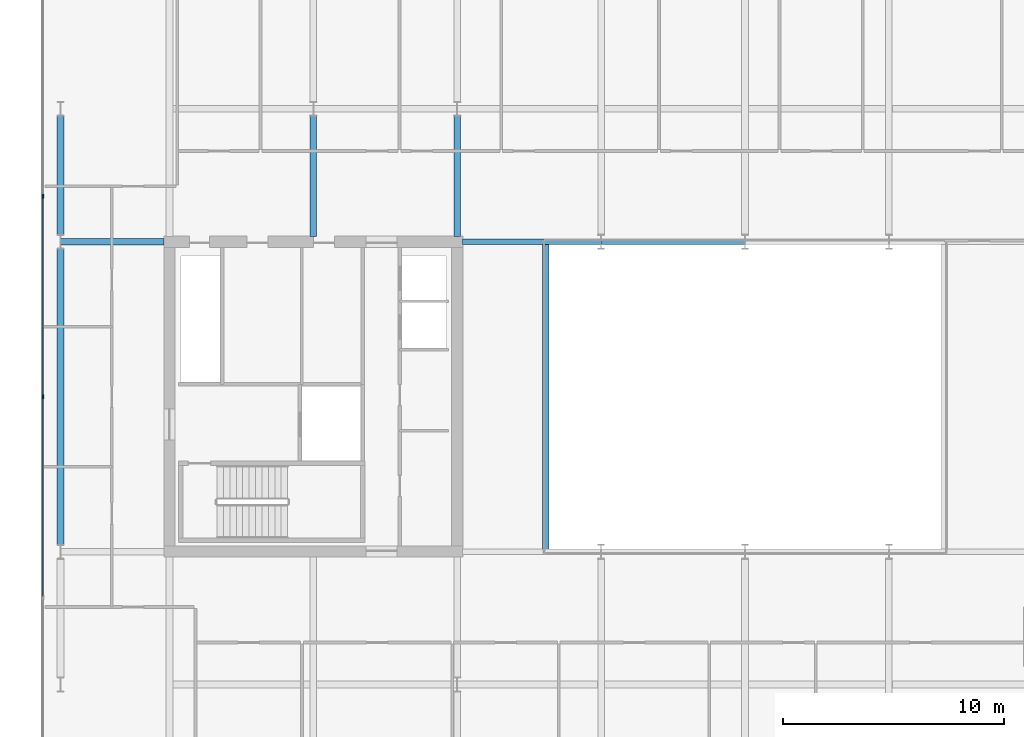
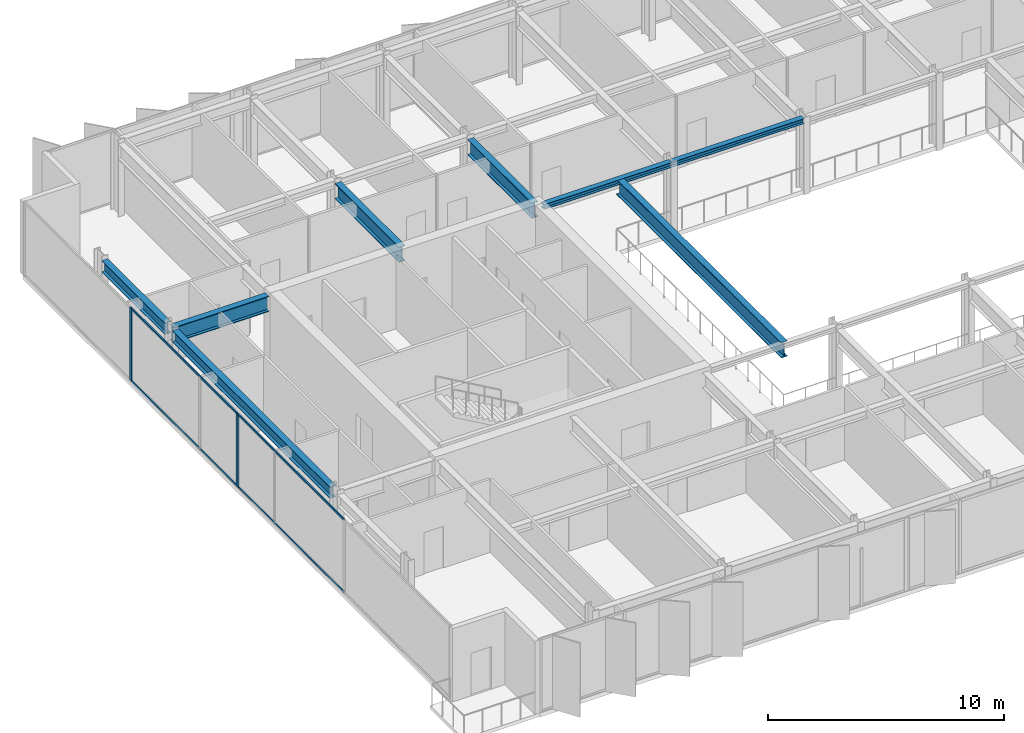
# One storey, part 5 of 20: 8 beams, 6 members, 1 element without a shape of its own.
"""IFC4 building model written with IfcOpenShell, lengths in metres."""

from ifc_helpers import new_model, si_unit, direction, frame, origin, origin_2d, place, context, subcontext, project, spatial, rectangle, i_section, extrude, material, layer, layer_set, material_profile, profile_set, type_object, element, aggregate, save


model = new_model("IFC4")

# Units and contexts
model_context = context("Model", 3, precision=1e-05, world=origin(), true_north=direction((0.0, 1.0)))
body_context = subcontext(model_context, "Body", "Model", "MODEL_VIEW")
ifc_project = project(units=[si_unit("LENGTHUNIT", "METRE"), si_unit("AREAUNIT", "SQUARE_METRE"), si_unit("VOLUMEUNIT", "CUBIC_METRE"), si_unit("PLANEANGLEUNIT", "RADIAN"), si_unit("MASSUNIT", "GRAM", prefix="KILO")], contexts=[model_context])

# Site, building, storey
site_placement = place(None, origin())
site = spatial("IfcSite", under=ifc_project, at=site_placement, CompositionType="ELEMENT")
building_placement = place(site_placement, origin())
building = spatial("IfcBuilding", under=site, at=building_placement, Name="Putna Gate Headquarters", CompositionType="ELEMENT")
storey_placement = place(building_placement, frame((0.0, 0.0, 298.39990234375)))
storey = spatial("IfcBuildingStorey", under=building, at=storey_placement, Name="L75", CompositionType="ELEMENT", Elevation=298.39990234375)

# Beams
ifc_material_1 = material(Name="Steel S355J2", Category="steel")
ifc_material_profile_1 = material_profile(ifc_material_1, i_section(OverallWidth=0.260009765625, OverallDepth=0.260009765625, WebThickness=0.010009765625, FlangeThickness=0.017578125, at=origin_2d()), Name="Steel S355J2")
ifc_profile_set_1 = profile_set([ifc_material_profile_1], Name="Steel S355J2")
beam_type_1 = type_object("IfcBeamType", Name="BM-ATRIUM-HEB260", PredefinedType="BEAM", material=ifc_profile_set_1)
beam_1_placement = place(storey_placement, frame((26.235107421875, 33.0, 3.658203125), z_axis=(1.0, 0.0, 0.0), x_axis=(0.0, 1.0, 0.0)))
element("IfcBeam", 1, at=beam_1_placement, inside=storey, type_object=beam_type_1, Name="L75 Atrium Edge Beam AN1", PredefinedType="BEAM", context=body_context, shape_type="SweptSolid", body=[
    extrude(i_section(OverallWidth=0.260009765625, OverallDepth=0.260009765625, WebThickness=0.010009765625, FlangeThickness=0.017578125, at=origin_2d()), origin(), (0.0, 0.0, 1.0), 6.2587890625),
])
beam_2_placement = place(storey_placement, frame((32.506103515625, 33.0, 3.658203125), z_axis=(1.0, 0.0, 0.0), x_axis=(0.0, 1.0, 0.0)))
element("IfcBeam", 2, at=beam_2_placement, inside=storey, type_object=beam_type_1, Name="L75 Atrium Edge Beam AN2", PredefinedType="BEAM", context=body_context, shape_type="SweptSolid", body=[
    extrude(i_section(OverallWidth=0.260009765625, OverallDepth=0.260009765625, WebThickness=0.010009765625, FlangeThickness=0.017578125, at=origin_2d()), origin(), (0.0, 0.0, 1.0), 6.48779296875),
])
ifc_material_profile_2 = material_profile(ifc_material_1, i_section(OverallWidth=0.300048828125, OverallDepth=0.800048828125, WebThickness=0.017578125, FlangeThickness=0.032958984375, at=origin_2d()), Name="Steel S355J2")
ifc_profile_set_2 = profile_set([ifc_material_profile_2], Name="Steel S355J2")
beam_type_2 = type_object("IfcBeamType", Name="BM-GIRD-P-HEB800", PredefinedType="USERDEFINED", material=ifc_profile_set_2)
beam_3_placement = place(storey_placement, frame((8.0859375, 33.0, 3.38818359375), z_axis=(1.0, 0.0, 0.0), x_axis=(0.0, 1.0, 0.0)))
element("IfcBeam", 3, at=beam_3_placement, inside=storey, type_object=beam_type_2, Name="L75 West Wing Girder Y33", ObjectType="GIRDER", PredefinedType="USERDEFINED", context=body_context, shape_type="SweptSolid", body=[
    extrude(i_section(OverallWidth=0.300048828125, OverallDepth=0.800048828125, WebThickness=0.017578125, FlangeThickness=0.032958984375, at=origin_2d()), origin(), (0.0, 0.0, 1.0), 4.678955078125),
])
for number, where, z_axis, x_axis, name in (
    (4, (19.5, 33.235107421875, 3.38818359375), (0.0, 1.0, 0.0), (-1.0, 0.0, 0.0), "L75 North Primary Girder X19-1"),
    (5, (26.0, 33.235107421875, 3.38818359375), (0.0, 1.0, 0.0), (-1.0, 0.0, 0.0), "L75 North Primary Girder X26-1"),
):
    element("IfcBeam", number, at=place(storey_placement, frame(where, z_axis=z_axis, x_axis=x_axis)), inside=storey, type_object=beam_type_2, Name=name, ObjectType="GIRDER", PredefinedType="USERDEFINED", context=body_context, shape_type="SweptSolid", body=[
        extrude(i_section(OverallWidth=0.300048828125, OverallDepth=0.800048828125, WebThickness=0.017578125, FlangeThickness=0.032958984375, at=origin_2d()), origin(), (0.0, 0.0, 1.0), 5.44287109375),
    ])
beam_4_placement = place(storey_placement, frame((30.0, 19.010009765625, 3.38818359375), z_axis=(0.0, 1.0, 0.0), x_axis=(-1.0, 0.0, 0.0)))
element("IfcBeam", 6, at=beam_4_placement, inside=storey, type_object=beam_type_2, Name="L75 Atrium Trim Girder AW", ObjectType="GIRDER", PredefinedType="USERDEFINED", context=body_context, shape_type="SweptSolid", body=[
    extrude(i_section(OverallWidth=0.300048828125, OverallDepth=0.800048828125, WebThickness=0.017578125, FlangeThickness=0.032958984375, at=origin_2d()), origin(), (0.0, 0.0, 1.0), 13.97998046875),
])
ifc_material_profile_3 = material_profile(ifc_material_1, i_section(OverallWidth=0.300048828125, OverallDepth=0.590087890625, WebThickness=0.012939453125, FlangeThickness=0.02490234375, at=origin_2d()), Name="Steel S355J2")
ifc_profile_set_3 = profile_set([ifc_material_profile_3], Name="Steel S355J2")
beam_type_3 = type_object("IfcBeamType", Name="BM-SPAN-Z4-HEA600", PredefinedType="SPANDREL", material=ifc_profile_set_3)
beam_5_placement = place(storey_placement, frame((8.080078125, 19.322021484375, 3.4931640625), z_axis=(0.0, 1.0, 0.0), x_axis=(-1.0, 0.0, 0.0)))
element("IfcBeam", 7, at=beam_5_placement, inside=storey, type_object=beam_type_3, Name="L75 W End Spandrel 2", PredefinedType="SPANDREL", context=body_context, shape_type="SweptSolid", body=[
    extrude(i_section(OverallWidth=0.300048828125, OverallDepth=0.590087890625, WebThickness=0.012939453125, FlangeThickness=0.02490234375, at=origin_2d()), origin(), (0.0, 0.0, 1.0), 13.35595703125),
])
beam_6_placement = place(storey_placement, frame((8.080078125, 33.322021484375, 3.4931640625), z_axis=(0.0, 1.0, 0.0), x_axis=(-1.0, 0.0, 0.0)))
element("IfcBeam", 8, at=beam_6_placement, inside=storey, type_object=beam_type_3, Name="L75 W End Spandrel 3", PredefinedType="SPANDREL", context=body_context, shape_type="SweptSolid", body=[
    extrude(i_section(OverallWidth=0.300048828125, OverallDepth=0.590087890625, WebThickness=0.012939453125, FlangeThickness=0.02490234375, at=origin_2d()), origin(), (0.0, 0.0, 1.0), 5.35595703125),
])

# Curtain wall, members
ifc_material_2 = material(Name="Anodised bronze aluminium curtain wall", Category="aluminium")
ifc_layer = layer(ifc_material_2, 0.179931640625)
ifc_layer_set = layer_set([ifc_layer], Name="Anodised bronze aluminium curtain wall")
curtain_wall_type = type_object("IfcCurtainWallType", Name="CW-SYS-Z5", PredefinedType="USERDEFINED", material=ifc_layer_set)
curtain_wall_placement = place(storey_placement, origin())
curtain_wall = element("IfcCurtainWall", 9, at=curtain_wall_placement, inside=storey, type_object=curtain_wall_type, Name="L75 West Curtain Wall", ObjectType="STICK CURTAIN WALL", PredefinedType="USERDEFINED")
ifc_material_3 = material(Name="Anodised bronze aluminium EN AW-6060", Category="aluminium")
ifc_material_profile_4 = material_profile(ifc_material_3, rectangle(XDim=0.070068359375, YDim=0.179931640625, at=origin_2d()), Name="Anodised bronze aluminium EN AW-6060")
ifc_profile_set_4 = profile_set([ifc_material_profile_4], Name="Anodised bronze aluminium EN AW-6060")
member_type_1 = type_object("IfcMemberType", Name="MULL-CWM-5", PredefinedType="MULLION", material=ifc_profile_set_4)
member_1_placement = place(storey_placement, frame((7.280029296875, 26.0, 0.0), z_axis=(0.0, 0.0, 1.0), x_axis=(-1.0, 0.0, 0.0)))
member_1 = element("IfcMember", 10, at=member_1_placement, type_object=member_type_1, Name="CWS-5 mullion 3", PredefinedType="MULLION", context=body_context, shape_type="SweptSolid", body=[
    extrude(rectangle(XDim=0.070068359375, YDim=0.179931640625, at=origin_2d()), origin(), (0.0, 0.0, 1.0), 3.7880859375),
])
member_2_placement = place(storey_placement, frame((7.280029296875, 35.050048828125, 0.0), z_axis=(0.0, 0.0, 1.0), x_axis=(-1.0, 0.0, 0.0)))
member_2 = element("IfcMember", 11, at=member_2_placement, type_object=member_type_1, Name="CWS-5 mullion 4", PredefinedType="MULLION", context=body_context, shape_type="SweptSolid", body=[
    extrude(rectangle(XDim=0.070068359375, YDim=0.179931640625, at=origin_2d()), origin(), (0.0, 0.0, 1.0), 3.7880859375),
])
ifc_material_profile_5 = material_profile(ifc_material_3, rectangle(XDim=0.06005859375, YDim=0.10009765625, at=origin_2d()), Name="Anodised bronze aluminium EN AW-6060")
ifc_profile_set_5 = profile_set([ifc_material_profile_5], Name="Anodised bronze aluminium EN AW-6060")
member_type_2 = type_object("IfcMemberType", Name="TRAN-CWT-5", PredefinedType="USERDEFINED", material=ifc_profile_set_5)
member_3_placement = place(storey_placement, frame((7.280029296875, 16.985107421875, 0.030029296875), z_axis=(0.0, 1.0, 0.0), x_axis=(-1.0, 0.0, 0.0)))
member_3 = element("IfcMember", 12, at=member_3_placement, type_object=member_type_2, Name="CWS-5 transom 2.1", ObjectType="TRANSOM", PredefinedType="USERDEFINED", context=body_context, shape_type="SweptSolid", body=[
    extrude(rectangle(XDim=0.06005859375, YDim=0.10009765625, at=origin_2d()), origin(), (0.0, 0.0, 1.0), 8.97998046875),
])
member_4_placement = place(storey_placement, frame((7.280029296875, 16.985107421875, 3.758056640625), z_axis=(0.0, 1.0, 0.0), x_axis=(-1.0, 0.0, 0.0)))
member_4 = element("IfcMember", 13, at=member_4_placement, type_object=member_type_2, Name="CWS-5 transom 2.2", ObjectType="TRANSOM", PredefinedType="USERDEFINED", context=body_context, shape_type="SweptSolid", body=[
    extrude(rectangle(XDim=0.06005859375, YDim=0.10009765625, at=origin_2d()), origin(), (0.0, 0.0, 1.0), 8.97998046875),
])
member_5_placement = place(storey_placement, frame((7.280029296875, 26.034912109375, 0.030029296875), z_axis=(0.0, 1.0, 0.0), x_axis=(-1.0, 0.0, 0.0)))
member_5 = element("IfcMember", 14, at=member_5_placement, type_object=member_type_2, Name="CWS-5 transom 3.1", ObjectType="TRANSOM", PredefinedType="USERDEFINED", context=body_context, shape_type="SweptSolid", body=[
    extrude(rectangle(XDim=0.06005859375, YDim=0.10009765625, at=origin_2d()), origin(), (0.0, 0.0, 1.0), 8.97998046875),
])
member_6_placement = place(storey_placement, frame((7.280029296875, 26.034912109375, 3.758056640625), z_axis=(0.0, 1.0, 0.0), x_axis=(-1.0, 0.0, 0.0)))
member_6 = element("IfcMember", 15, at=member_6_placement, type_object=member_type_2, Name="CWS-5 transom 3.2", ObjectType="TRANSOM", PredefinedType="USERDEFINED", context=body_context, shape_type="SweptSolid", body=[
    extrude(rectangle(XDim=0.06005859375, YDim=0.10009765625, at=origin_2d()), origin(), (0.0, 0.0, 1.0), 8.97998046875),
])
aggregate(curtain_wall, [member_1, member_2, member_3, member_4, member_5, member_6])

save(model, "model.ifc")
